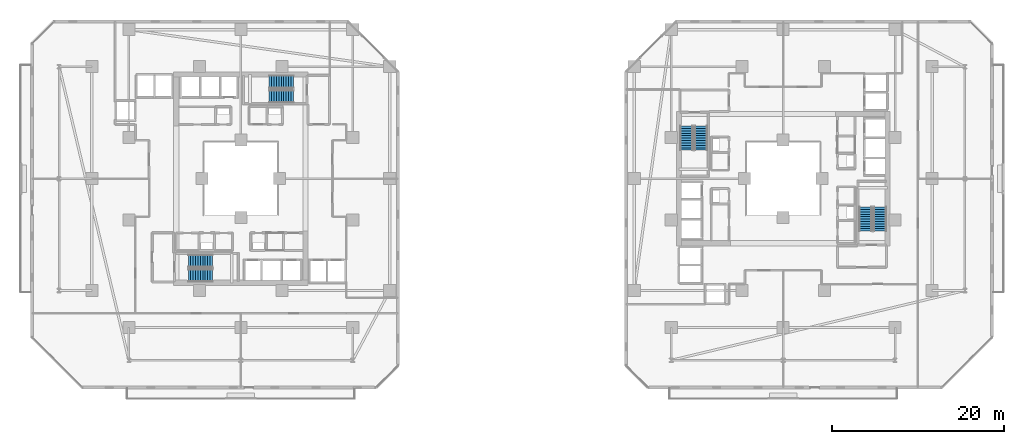
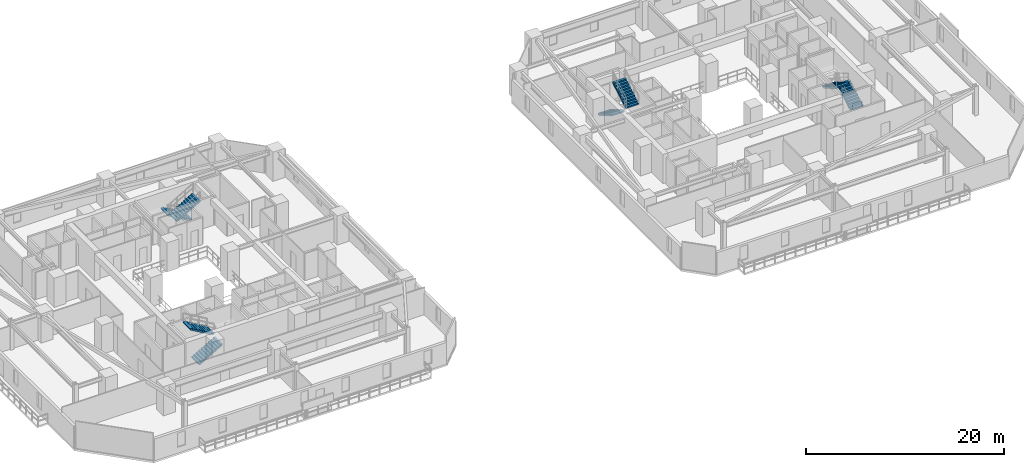
# One storey, part 26 of 33: 8 stair flights, 4 elements without a shape of their own.
"""IFC4 building model written with IfcOpenShell, lengths in metres."""

from ifc_helpers import new_model, si_unit, direction, frame, origin, place, context, subcontext, project, spatial, polyline, outline, extrude, material, type_object, element, aggregate, save


model = new_model("IFC4")

# Units and contexts
model_context = context("Model", 3, precision=1e-05, world=origin(), true_north=direction((0.0, 1.0)))
body_context = subcontext(model_context, "Body", "Model", "MODEL_VIEW")
ifc_project = project(units=[si_unit("LENGTHUNIT", "METRE"), si_unit("AREAUNIT", "SQUARE_METRE"), si_unit("VOLUMEUNIT", "CUBIC_METRE"), si_unit("PLANEANGLEUNIT", "RADIAN"), si_unit("MASSUNIT", "GRAM", prefix="KILO")], contexts=[model_context])

# Site, building, storey
site_placement = place(None, origin())
site = spatial("IfcSite", under=ifc_project, at=site_placement, CompositionType="ELEMENT")
building_placement = place(site_placement, origin())
building = spatial("IfcBuilding", under=site, at=building_placement, Name="Thornwick Lancets Civic Towers", CompositionType="ELEMENT")
storey_placement = place(building_placement, frame((0.0, 0.0, 31.5)))
storey = spatial("IfcBuildingStorey", under=building, at=storey_placement, Name="L07", CompositionType="ELEMENT", Elevation=31.5)

# Stair, stair flights
ifc_material = material(Name="Concrete C40/50", Category="concrete")
stair_type = type_object("IfcStairType", Name="STAIR_DL_3600", PredefinedType="HALF_TURN_STAIR", material=ifc_material)
stair_1_placement = place(storey_placement, origin())
stair_1 = element("IfcStair", 1, at=stair_1_placement, inside=storey, type_object=stair_type, Name="L07 Tower A South Exit Stair ST-A1", PredefinedType="HALF_TURN_STAIR")
stair_flight_type = type_object("IfcStairFlightType", Name="FLIGHT_3600", PredefinedType="STRAIGHT", material=ifc_material)
stair_flight_1_placement = place(storey_placement, frame((19.39990234375, 15.75, 0.0), z_axis=(0.0, 0.0, 1.0), x_axis=(1.0, 0.0, 0.0)))
stair_flight_1 = element("IfcStairFlight", 2, at=stair_flight_1_placement, type_object=stair_flight_type, Name="ST-A1 flight 1", NumberOfRisers=11, NumberOfTreads=10, PredefinedType="STRAIGHT", RiserHeight=0.163636364, TreadLength=0.28, context=body_context, shape_type="SweptSolid", body=[
    extrude(outline(polyline([(0.0, 0.0), (0.0, 0.16357421875), (0.280029296875, 0.16357421875), (0.280029296875, 0.327392578125), (0.56005859375, 0.327392578125), (0.56005859375, 0.490966796875), (0.840087890625, 0.490966796875), (0.840087890625, 0.654541015625), (1.1201171875, 0.654541015625), (1.1201171875, 0.818115234375), (1.39990234375, 0.818115234375), (1.39990234375, 0.98193359375), (1.679931640625, 0.98193359375), (1.679931640625, 1.1455078125), (1.9599609375, 1.1455078125), (1.9599609375, 1.30908203125), (2.239990234375, 1.30908203125), (2.239990234375, 1.47265625), (2.52001953125, 1.47265625), (2.52001953125, 1.636474609375), (2.800048828125, 1.636474609375), (2.800048828125, 1.800048828125), (2.800048828125, 1.462646484375), (0.297119140625, 0.0), (0.0, 0.0)])), frame((0.0, 0.75, 0.0), z_axis=(0.0, -1.0, 0.0), x_axis=(1.0, 0.0, 0.0)), (0.0, 0.0, 1.0), 1.5),
])
stair_flight_2_placement = place(storey_placement, frame((22.199951171875, 17.449951171875, 1.800048828125), z_axis=(0.0, 0.0, 1.0), x_axis=(-1.0, 0.0, 0.0)))
stair_flight_2 = element("IfcStairFlight", 3, at=stair_flight_2_placement, type_object=stair_flight_type, Name="ST-A1 flight 2", NumberOfRisers=11, NumberOfTreads=10, PredefinedType="STRAIGHT", RiserHeight=0.163636364, TreadLength=0.28, context=body_context, shape_type="SweptSolid", body=[
    extrude(outline(polyline([(0.0, 0.0), (0.0, 0.16357421875), (0.280029296875, 0.16357421875), (0.280029296875, 0.327392578125), (0.56005859375, 0.327392578125), (0.56005859375, 0.490966796875), (0.840087890625, 0.490966796875), (0.840087890625, 0.654541015625), (1.1201171875, 0.654541015625), (1.1201171875, 0.818115234375), (1.39990234375, 0.818115234375), (1.39990234375, 0.98193359375), (1.679931640625, 0.98193359375), (1.679931640625, 1.1455078125), (1.9599609375, 1.1455078125), (1.9599609375, 1.30908203125), (2.239990234375, 1.30908203125), (2.239990234375, 1.47265625), (2.52001953125, 1.47265625), (2.52001953125, 1.636474609375), (2.800048828125, 1.636474609375), (2.800048828125, 1.800048828125), (2.800048828125, 1.462646484375), (0.297119140625, 0.0), (0.0, 0.0)])), frame((0.0, 0.75, 0.0), z_axis=(0.0, -1.0, 0.0), x_axis=(1.0, 0.0, 0.0)), (0.0, 0.0, 1.0), 1.5),
])
aggregate(stair_1, [stair_flight_1, stair_flight_2])

stair_2_placement = place(storey_placement, origin())
stair_2 = element("IfcStair", 4, at=stair_2_placement, inside=storey, type_object=stair_type, Name="L07 Tower A North Exit Stair ST-A2", PredefinedType="HALF_TURN_STAIR")
stair_flight_3_placement = place(storey_placement, frame((31.60009765625, 38.25, 0.0), z_axis=(0.0, 0.0, 1.0), x_axis=(-1.0, 0.0, 0.0)))
stair_flight_3 = element("IfcStairFlight", 5, at=stair_flight_3_placement, type_object=stair_flight_type, Name="ST-A2 flight 1", NumberOfRisers=11, NumberOfTreads=10, PredefinedType="STRAIGHT", RiserHeight=0.163636364, TreadLength=0.28, context=body_context, shape_type="SweptSolid", body=[
    extrude(outline(polyline([(0.0, 0.0), (0.0, 0.16357421875), (0.280029296875, 0.16357421875), (0.280029296875, 0.327392578125), (0.56005859375, 0.327392578125), (0.56005859375, 0.490966796875), (0.840087890625, 0.490966796875), (0.840087890625, 0.654541015625), (1.1201171875, 0.654541015625), (1.1201171875, 0.818115234375), (1.39990234375, 0.818115234375), (1.39990234375, 0.98193359375), (1.679931640625, 0.98193359375), (1.679931640625, 1.1455078125), (1.9599609375, 1.1455078125), (1.9599609375, 1.30908203125), (2.239990234375, 1.30908203125), (2.239990234375, 1.47265625), (2.52001953125, 1.47265625), (2.52001953125, 1.636474609375), (2.800048828125, 1.636474609375), (2.800048828125, 1.800048828125), (2.800048828125, 1.462646484375), (0.297119140625, 0.0), (0.0, 0.0)])), frame((0.0, 0.75, 0.0), z_axis=(0.0, -1.0, 0.0), x_axis=(1.0, 0.0, 0.0)), (0.0, 0.0, 1.0), 1.5),
])
stair_flight_4_placement = place(storey_placement, frame((28.800048828125, 36.550048828125, 1.800048828125), z_axis=(0.0, 0.0, 1.0), x_axis=(1.0, 0.0, 0.0)))
stair_flight_4 = element("IfcStairFlight", 6, at=stair_flight_4_placement, type_object=stair_flight_type, Name="ST-A2 flight 2", NumberOfRisers=11, NumberOfTreads=10, PredefinedType="STRAIGHT", RiserHeight=0.163636364, TreadLength=0.28, context=body_context, shape_type="SweptSolid", body=[
    extrude(outline(polyline([(0.0, 0.0), (0.0, 0.16357421875), (0.280029296875, 0.16357421875), (0.280029296875, 0.327392578125), (0.56005859375, 0.327392578125), (0.56005859375, 0.490966796875), (0.840087890625, 0.490966796875), (0.840087890625, 0.654541015625), (1.1201171875, 0.654541015625), (1.1201171875, 0.818115234375), (1.39990234375, 0.818115234375), (1.39990234375, 0.98193359375), (1.679931640625, 0.98193359375), (1.679931640625, 1.1455078125), (1.9599609375, 1.1455078125), (1.9599609375, 1.30908203125), (2.239990234375, 1.30908203125), (2.239990234375, 1.47265625), (2.52001953125, 1.47265625), (2.52001953125, 1.636474609375), (2.800048828125, 1.636474609375), (2.800048828125, 1.800048828125), (2.800048828125, 1.462646484375), (0.297119140625, 0.0), (0.0, 0.0)])), frame((0.0, 0.75, 0.0), z_axis=(0.0, -1.0, 0.0), x_axis=(1.0, 0.0, 0.0)), (0.0, 0.0, 1.0), 1.5),
])
aggregate(stair_2, [stair_flight_3, stair_flight_4])

stair_3_placement = place(storey_placement, origin())
stair_3 = element("IfcStair", 7, at=stair_3_placement, inside=storey, type_object=stair_type, Name="L07 Tower B East Exit Stair ST-B1", PredefinedType="HALF_TURN_STAIR")
stair_flight_5_placement = place(storey_placement, frame((99.75, 20.89990234375, 0.0), z_axis=(0.0, 0.0, 1.0), x_axis=(0.0, 1.0, 0.0)))
stair_flight_5 = element("IfcStairFlight", 8, at=stair_flight_5_placement, type_object=stair_flight_type, Name="ST-B1 flight 1", NumberOfRisers=11, NumberOfTreads=10, PredefinedType="STRAIGHT", RiserHeight=0.163636364, TreadLength=0.28, context=body_context, shape_type="SweptSolid", body=[
    extrude(outline(polyline([(0.0, 0.0), (0.0, 0.16357421875), (0.280029296875, 0.16357421875), (0.280029296875, 0.327392578125), (0.56005859375, 0.327392578125), (0.56005859375, 0.490966796875), (0.840087890625, 0.490966796875), (0.840087890625, 0.654541015625), (1.1201171875, 0.654541015625), (1.1201171875, 0.818115234375), (1.39990234375, 0.818115234375), (1.39990234375, 0.98193359375), (1.679931640625, 0.98193359375), (1.679931640625, 1.1455078125), (1.9599609375, 1.1455078125), (1.9599609375, 1.30908203125), (2.239990234375, 1.30908203125), (2.239990234375, 1.47265625), (2.52001953125, 1.47265625), (2.52001953125, 1.636474609375), (2.800048828125, 1.636474609375), (2.800048828125, 1.800048828125), (2.800048828125, 1.462646484375), (0.297119140625, 0.0), (0.0, 0.0)])), frame((0.0, 0.75, 0.0), z_axis=(0.0, -1.0, 0.0), x_axis=(1.0, 0.0, 0.0)), (0.0, 0.0, 1.0), 1.5),
])
stair_flight_6_placement = place(storey_placement, frame((98.050048828125, 23.699951171875, 1.800048828125), z_axis=(0.0, 0.0, 1.0), x_axis=(0.0, -1.0, 0.0)))
stair_flight_6 = element("IfcStairFlight", 9, at=stair_flight_6_placement, type_object=stair_flight_type, Name="ST-B1 flight 2", NumberOfRisers=11, NumberOfTreads=10, PredefinedType="STRAIGHT", RiserHeight=0.163636364, TreadLength=0.28, context=body_context, shape_type="SweptSolid", body=[
    extrude(outline(polyline([(0.0, 0.0), (0.0, 0.16357421875), (0.280029296875, 0.16357421875), (0.280029296875, 0.327392578125), (0.56005859375, 0.327392578125), (0.56005859375, 0.490966796875), (0.840087890625, 0.490966796875), (0.840087890625, 0.654541015625), (1.1201171875, 0.654541015625), (1.1201171875, 0.818115234375), (1.39990234375, 0.818115234375), (1.39990234375, 0.98193359375), (1.679931640625, 0.98193359375), (1.679931640625, 1.1455078125), (1.9599609375, 1.1455078125), (1.9599609375, 1.30908203125), (2.239990234375, 1.30908203125), (2.239990234375, 1.47265625), (2.52001953125, 1.47265625), (2.52001953125, 1.636474609375), (2.800048828125, 1.636474609375), (2.800048828125, 1.800048828125), (2.800048828125, 1.462646484375), (0.297119140625, 0.0), (0.0, 0.0)])), frame((0.0, 0.75, 0.0), z_axis=(0.0, -1.0, 0.0), x_axis=(1.0, 0.0, 0.0)), (0.0, 0.0, 1.0), 1.5),
])
aggregate(stair_3, [stair_flight_5, stair_flight_6])

stair_4_placement = place(storey_placement, origin())
stair_4 = element("IfcStair", 10, at=stair_4_placement, inside=storey, type_object=stair_type, Name="L07 Tower B West Exit Stair ST-B2", PredefinedType="HALF_TURN_STAIR")
stair_flight_7_placement = place(storey_placement, frame((77.25, 33.10009765625, 0.0), z_axis=(0.0, 0.0, 1.0), x_axis=(0.0, -1.0, 0.0)))
stair_flight_7 = element("IfcStairFlight", 11, at=stair_flight_7_placement, type_object=stair_flight_type, Name="ST-B2 flight 1", NumberOfRisers=11, NumberOfTreads=10, PredefinedType="STRAIGHT", RiserHeight=0.163636364, TreadLength=0.28, context=body_context, shape_type="SweptSolid", body=[
    extrude(outline(polyline([(0.0, 0.0), (0.0, 0.16357421875), (0.280029296875, 0.16357421875), (0.280029296875, 0.327392578125), (0.56005859375, 0.327392578125), (0.56005859375, 0.490966796875), (0.840087890625, 0.490966796875), (0.840087890625, 0.654541015625), (1.1201171875, 0.654541015625), (1.1201171875, 0.818115234375), (1.39990234375, 0.818115234375), (1.39990234375, 0.98193359375), (1.679931640625, 0.98193359375), (1.679931640625, 1.1455078125), (1.9599609375, 1.1455078125), (1.9599609375, 1.30908203125), (2.239990234375, 1.30908203125), (2.239990234375, 1.47265625), (2.52001953125, 1.47265625), (2.52001953125, 1.636474609375), (2.800048828125, 1.636474609375), (2.800048828125, 1.800048828125), (2.800048828125, 1.462646484375), (0.297119140625, 0.0), (0.0, 0.0)])), frame((0.0, 0.75, 0.0), z_axis=(0.0, -1.0, 0.0), x_axis=(1.0, 0.0, 0.0)), (0.0, 0.0, 1.0), 1.5),
])
stair_flight_8_placement = place(storey_placement, frame((78.949951171875, 30.300048828125, 1.800048828125), z_axis=(0.0, 0.0, 1.0), x_axis=(0.0, 1.0, 0.0)))
stair_flight_8 = element("IfcStairFlight", 12, at=stair_flight_8_placement, type_object=stair_flight_type, Name="ST-B2 flight 2", NumberOfRisers=11, NumberOfTreads=10, PredefinedType="STRAIGHT", RiserHeight=0.163636364, TreadLength=0.28, context=body_context, shape_type="SweptSolid", body=[
    extrude(outline(polyline([(0.0, 0.0), (0.0, 0.16357421875), (0.280029296875, 0.16357421875), (0.280029296875, 0.327392578125), (0.56005859375, 0.327392578125), (0.56005859375, 0.490966796875), (0.840087890625, 0.490966796875), (0.840087890625, 0.654541015625), (1.1201171875, 0.654541015625), (1.1201171875, 0.818115234375), (1.39990234375, 0.818115234375), (1.39990234375, 0.98193359375), (1.679931640625, 0.98193359375), (1.679931640625, 1.1455078125), (1.9599609375, 1.1455078125), (1.9599609375, 1.30908203125), (2.239990234375, 1.30908203125), (2.239990234375, 1.47265625), (2.52001953125, 1.47265625), (2.52001953125, 1.636474609375), (2.800048828125, 1.636474609375), (2.800048828125, 1.800048828125), (2.800048828125, 1.462646484375), (0.297119140625, 0.0), (0.0, 0.0)])), frame((0.0, 0.75, 0.0), z_axis=(0.0, -1.0, 0.0), x_axis=(1.0, 0.0, 0.0)), (0.0, 0.0, 1.0), 1.5),
])
aggregate(stair_4, [stair_flight_7, stair_flight_8])

save(model, "model.ifc")
